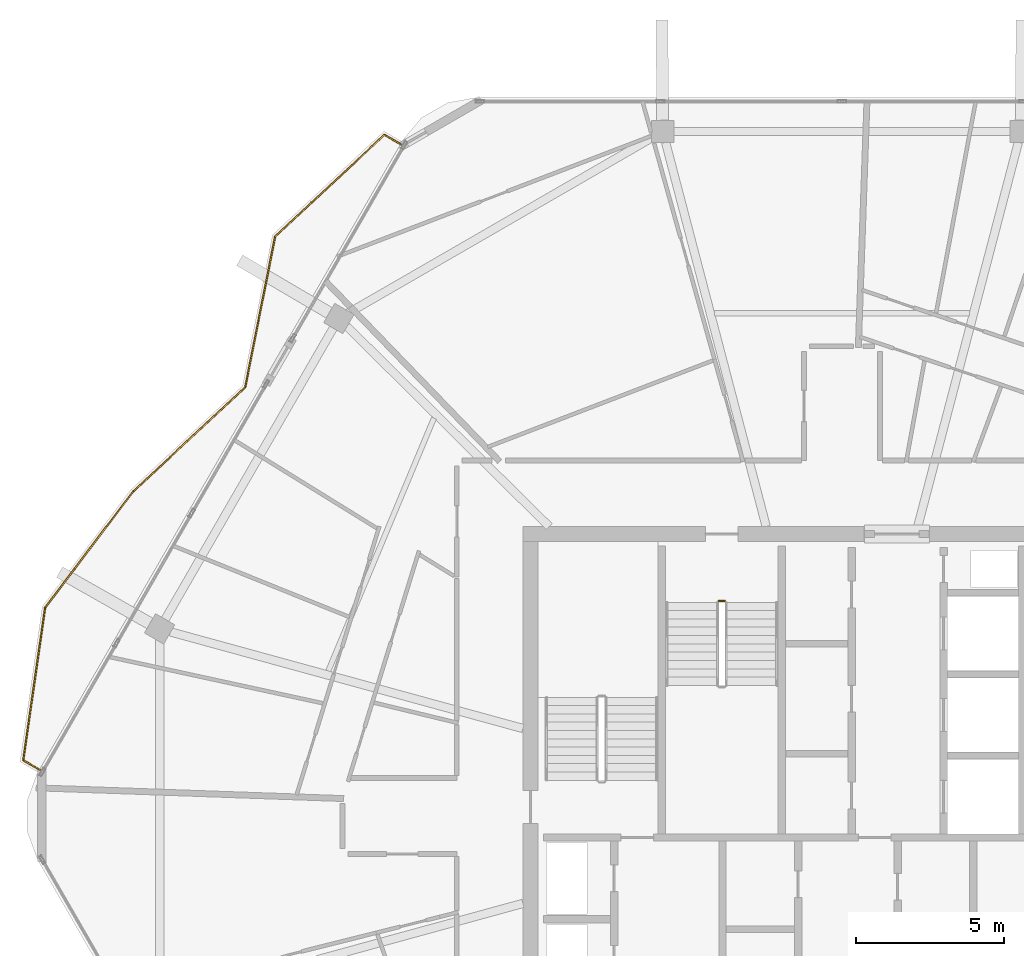
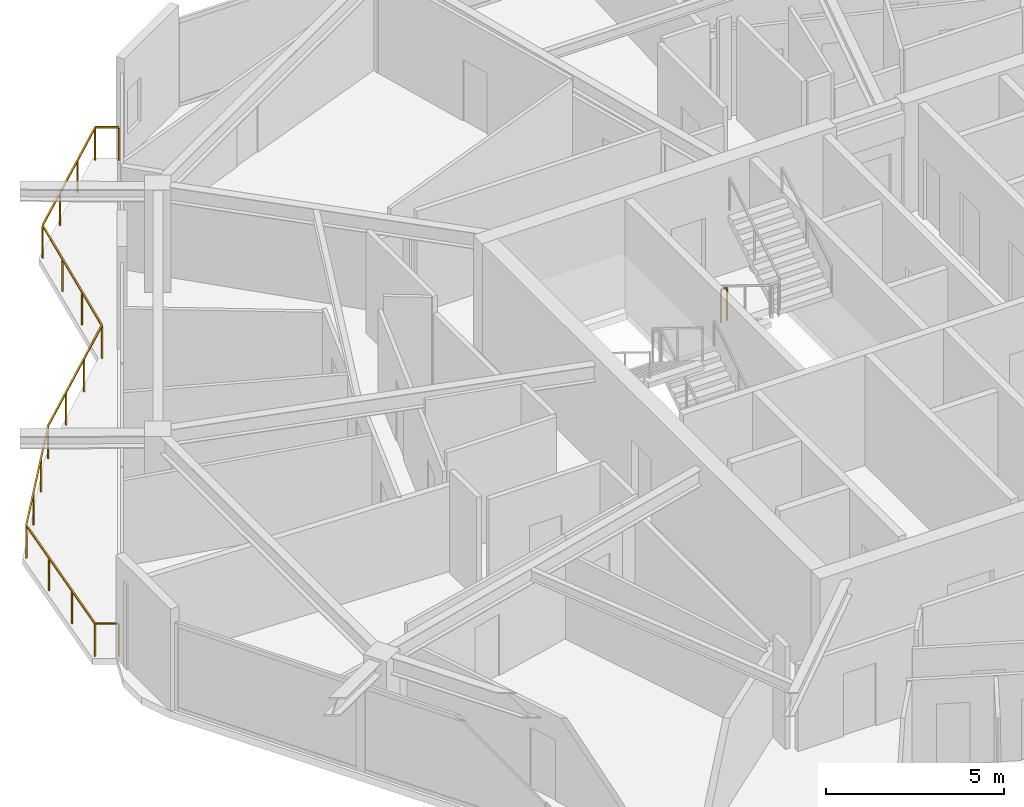
# One storey, part 23 of 23: 2 railings.
"""IFC4 building model written with IfcOpenShell, lengths in metres."""

from ifc_helpers import new_model, si_unit, direction, frame, origin, origin_2d, place, context, subcontext, project, spatial, rectangle, extrude, material, type_object, element, save


model = new_model("IFC4")

# Units and contexts
model_context = context("Model", 3, precision=1e-05, world=origin(), true_north=direction((0.0, 1.0)))
body_context = subcontext(model_context, "Body", "Model", "MODEL_VIEW")
ifc_project = project(units=[si_unit("LENGTHUNIT", "METRE"), si_unit("AREAUNIT", "SQUARE_METRE"), si_unit("VOLUMEUNIT", "CUBIC_METRE"), si_unit("PLANEANGLEUNIT", "RADIAN"), si_unit("MASSUNIT", "GRAM", prefix="KILO")], contexts=[model_context])

# Site, building, storey
site_placement = place(None, origin())
site = spatial("IfcSite", under=ifc_project, at=site_placement, CompositionType="ELEMENT")
building_placement = place(site_placement, origin())
building = spatial("IfcBuilding", under=site, at=building_placement, Name="Zuhravey Tower", CompositionType="ELEMENT")
storey_placement = place(building_placement, frame((0.0, 0.0, 350.0)))
storey = spatial("IfcBuildingStorey", under=building, at=storey_placement, Name="L89", CompositionType="ELEMENT", Elevation=350.0)

# Railings
ifc_material_1 = material(Name="Stainless steel 316 and laminated glass", Category="steel")
railing_type_1 = type_object("IfcRailingType", Name="Balcony & Terrace Guardrail 1150", PredefinedType="BALUSTRADE", material=ifc_material_1)
railing_1_placement = place(storey_placement, frame((8.993408203125, 33.54150390625, 0.0)))
element("IfcRailing", 1, at=railing_1_placement, inside=storey, type_object=railing_type_1, Name="L89 Face 3 Wave Balcony Guardrail GR1", PredefinedType="BALUSTRADE", context=body_context, shape_type="SweptSolid", body=[
    extrude(rectangle(XDim=0.048095703125, YDim=0.048095703125, at=origin_2d()), frame((-0.001708984375, 0.0009765625, 1.1259765625), z_axis=(-0.865931497966, 0.500162614387, 0.0), x_axis=(-0.500162614387, -0.865931497966, 0.0)), (0.0, 0.0, 1.0), 0.668212890625),
    extrude(rectangle(XDim=0.048095703125, YDim=0.048095703125, at=origin_2d()), frame((-0.581787109375, 0.338134765625, 1.1259765625), z_axis=(0.141928123121, 0.989876966025, 0.0), x_axis=(-0.989876966025, 0.141928123121, 0.0)), (0.0, 0.0, 1.0), 5.189208984375),
    extrude(rectangle(XDim=0.048095703125, YDim=0.048095703125, at=origin_2d()), frame((0.15625, 5.478515625, 1.1259765625), z_axis=(0.604064392377, 0.796935511734, 0.0), x_axis=(-0.796935511734, 0.604064392377, 0.0)), (0.0, 0.0, 1.0), 4.907470703125),
    extrude(rectangle(XDim=0.048095703125, YDim=0.048095703125, at=origin_2d()), frame((3.123291015625, 9.392333984375, 1.1259765625), z_axis=(0.732208149932, 0.681080924101, 0.0), x_axis=(-0.681080924101, 0.732208149932, 0.0)), (0.0, 0.0, 1.0), 5.153076171875),
    extrude(rectangle(XDim=0.048095703125, YDim=0.048095703125, at=origin_2d()), frame((6.8984375, 12.9052734375, 1.1259765625), z_axis=(0.194684661155, 0.980865884161, 0.0), x_axis=(-0.980865884161, 0.194684661155, 0.0)), (0.0, 0.0, 1.0), 5.178955078125),
    extrude(rectangle(XDim=0.048095703125, YDim=0.048095703125, at=origin_2d()), frame((7.908447265625, 17.988525390625, 1.1259765625), z_axis=(0.732698375737, 0.680553517508, 0.0), x_axis=(-0.680553517508, 0.732698375737, 0.0)), (0.0, 0.0, 1.0), 5.0244140625),
    extrude(rectangle(XDim=0.048095703125, YDim=0.048095703125, at=origin_2d()), frame((11.593017578125, 21.408203125, 1.1259765625), z_axis=(0.865910926182, -0.500198228624, 0.0), x_axis=(0.500198228624, 0.865910926182, 0.0)), (0.0, 0.0, 1.0), 0.662353515625),
    extrude(rectangle(XDim=0.0419921875, YDim=0.0419921875, at=origin_2d()), origin(), (0.0, 0.0, 1.0), 1.099853515625),
    extrude(rectangle(XDim=0.0419921875, YDim=0.0419921875, at=origin_2d()), frame((-0.58203125, 0.336181640625, 0.0)), (0.0, 0.0, 1.0), 1.099853515625),
    extrude(rectangle(XDim=0.0419921875, YDim=0.0419921875, at=origin_2d()), frame((-0.33642578125, 2.0498046875, 0.0)), (0.0, 0.0, 1.0), 1.099853515625),
    extrude(rectangle(XDim=0.0419921875, YDim=0.0419921875, at=origin_2d()), frame((-0.090576171875, 3.76318359375, 0.0)), (0.0, 0.0, 1.0), 1.099853515625),
    extrude(rectangle(XDim=0.0419921875, YDim=0.0419921875, at=origin_2d()), frame((0.155029296875, 5.476806640625, 0.0)), (0.0, 0.0, 1.0), 1.099853515625),
    extrude(rectangle(XDim=0.0419921875, YDim=0.0419921875, at=origin_2d()), frame((1.14404296875, 6.781494140625, 0.0)), (0.0, 0.0, 1.0), 1.099853515625),
    extrude(rectangle(XDim=0.0419921875, YDim=0.0419921875, at=origin_2d()), frame((2.1328125, 8.086181640625, 0.0)), (0.0, 0.0, 1.0), 1.099853515625),
    extrude(rectangle(XDim=0.0419921875, YDim=0.0419921875, at=origin_2d()), frame((3.121826171875, 9.390869140625, 0.0)), (0.0, 0.0, 1.0), 1.099853515625),
    extrude(rectangle(XDim=0.0419921875, YDim=0.0419921875, at=origin_2d()), frame((4.380615234375, 10.561767578125, 0.0)), (0.0, 0.0, 1.0), 1.099853515625),
    extrude(rectangle(XDim=0.0419921875, YDim=0.0419921875, at=origin_2d()), frame((5.63916015625, 11.732421875, 0.0)), (0.0, 0.0, 1.0), 1.099853515625),
    extrude(rectangle(XDim=0.0419921875, YDim=0.0419921875, at=origin_2d()), frame((6.89794921875, 12.9033203125, 0.0)), (0.0, 0.0, 1.0), 1.099853515625),
    extrude(rectangle(XDim=0.0419921875, YDim=0.0419921875, at=origin_2d()), frame((7.234375, 14.597900390625, 0.0)), (0.0, 0.0, 1.0), 1.099853515625),
    extrude(rectangle(XDim=0.0419921875, YDim=0.0419921875, at=origin_2d()), frame((7.570556640625, 16.29248046875, 0.0)), (0.0, 0.0, 1.0), 1.099853515625),
    extrude(rectangle(XDim=0.0419921875, YDim=0.0419921875, at=origin_2d()), frame((7.906982421875, 17.987060546875, 0.0)), (0.0, 0.0, 1.0), 1.099853515625),
    extrude(rectangle(XDim=0.0419921875, YDim=0.0419921875, at=origin_2d()), frame((9.135009765625, 19.127685546875, 0.0)), (0.0, 0.0, 1.0), 1.099853515625),
    extrude(rectangle(XDim=0.0419921875, YDim=0.0419921875, at=origin_2d()), frame((10.36328125, 20.2685546875, 0.0)), (0.0, 0.0, 1.0), 1.099853515625),
    extrude(rectangle(XDim=0.0419921875, YDim=0.0419921875, at=origin_2d()), frame((11.59130859375, 21.4091796875, 0.0)), (0.0, 0.0, 1.0), 1.099853515625),
    extrude(rectangle(XDim=0.0419921875, YDim=0.0419921875, at=origin_2d()), frame((12.168212890625, 21.075927734375, 0.0)), (0.0, 0.0, 1.0), 1.099853515625),
])
ifc_material_2 = material(Name="Painted tubular steel", Category="steel")
railing_type_2 = type_object("IfcRailingType", Name="Stair Well Guardrail 1150", PredefinedType="GUARDRAIL", material=ifc_material_2)
railing_2_placement = place(storey_placement, frame((31.85009765625, 39.25, 0.0)))
element("IfcRailing", 2, at=railing_2_placement, inside=storey, type_object=railing_type_2, Name="L89 ST3 stair guard 4", PredefinedType="GUARDRAIL", context=body_context, shape_type="SweptSolid", body=[
    extrude(rectangle(XDim=0.048095703125, YDim=0.048095703125, at=origin_2d()), frame((0.001953125, 0.0, 1.1259765625), z_axis=(1.0, 0.0, 0.0), x_axis=(0.0, 1.0, 0.0)), (0.0, 0.0, 1.0), 0.196044921875),
    extrude(rectangle(XDim=0.0419921875, YDim=0.0419921875, at=origin_2d()), origin(), (0.0, 0.0, 1.0), 1.099853515625),
    extrude(rectangle(XDim=0.0419921875, YDim=0.0419921875, at=origin_2d()), frame((0.199951171875, 0.0, 0.0)), (0.0, 0.0, 1.0), 1.099853515625),
])

save(model, "model.ifc")
